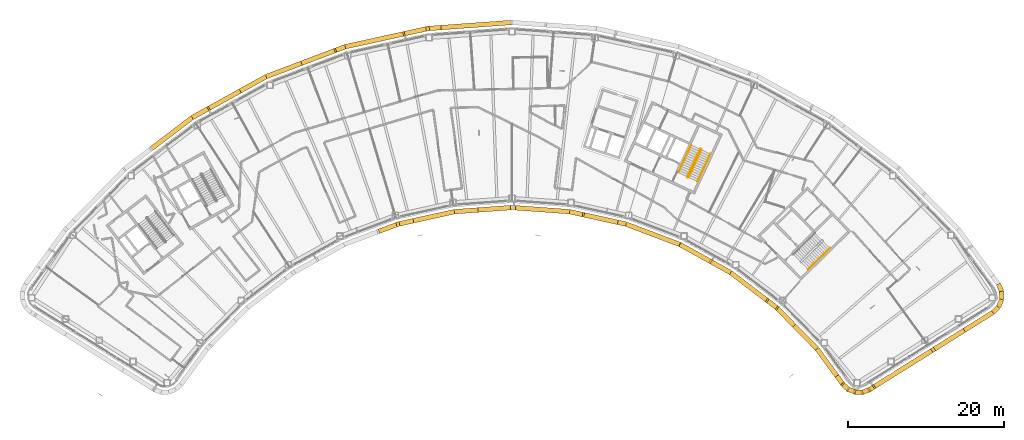
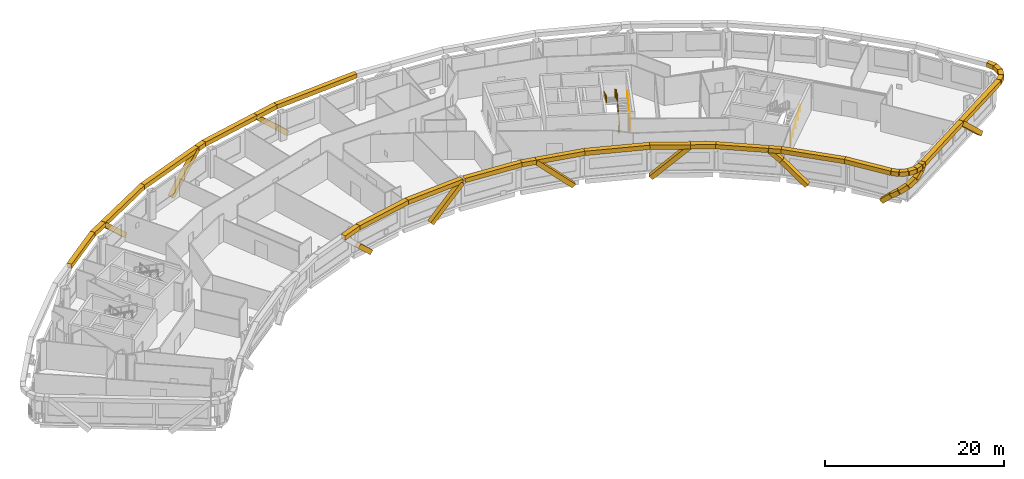
# One storey, part 19 of 21: 50 coverings, 4 railings.
"""IFC4 building model written with IfcOpenShell, lengths in metres."""

from ifc_helpers import new_model, si_unit, direction, frame, origin, origin_2d, place, context, subcontext, project, spatial, rectangle, circle, extrude, material, material_profile, profile_set, type_object, element, save


model = new_model("IFC4")

# Units and contexts
model_context = context("Model", 3, precision=1e-05, world=origin(), true_north=direction((0.0, 1.0)))
body_context = subcontext(model_context, "Body", "Model", "MODEL_VIEW")
ifc_project = project(units=[si_unit("LENGTHUNIT", "METRE"), si_unit("AREAUNIT", "SQUARE_METRE"), si_unit("VOLUMEUNIT", "CUBIC_METRE"), si_unit("PLANEANGLEUNIT", "RADIAN"), si_unit("MASSUNIT", "GRAM", prefix="KILO")], contexts=[model_context])

# Site, building, storey
site_placement = place(None, origin())
site = spatial("IfcSite", under=ifc_project, at=site_placement, CompositionType="ELEMENT")
building_placement = place(site_placement, origin())
building = spatial("IfcBuilding", under=site, at=building_placement, Name="Tuul Gate Civic Tower", CompositionType="ELEMENT")
storey_placement = place(building_placement, frame((0.0, 0.0, 273.60009765625)))
storey = spatial("IfcBuildingStorey", under=building, at=storey_placement, Name="Level 62", CompositionType="ELEMENT", Elevation=273.60009765625)

# Railings
ifc_material_1 = material(Name="Painted steel", Category="steel")
railing_type_1 = type_object("IfcRailingType", Name="Stair guard", PredefinedType="GUARDRAIL", material=ifc_material_1)
railing_1_placement = place(storey_placement, frame((33.645751953125, -5.238525390625, 0.0)))
element("IfcRailing", 1, at=railing_1_placement, inside=storey, type_object=railing_type_1, Name="Level 62 ST-4 stair guard 1", PredefinedType="GUARDRAIL", context=body_context, shape_type="SweptSolid", body=[
    extrude(circle(Radius=0.02392578125, at=origin_2d()), frame((0.0, 0.0, 1.076171875), z_axis=(-0.906307919131, 0.422617978463, 0.0), x_axis=(-0.422617978463, -0.906307919131, 0.0)), (0.0, 0.0, 1.0), 0.099853515625),
    extrude(circle(Radius=0.02392578125, at=origin_2d()), frame((-0.090576171875, 0.042236328125, 1.076171875), z_axis=(0.720735628292, -0.082946246491, 0.688229666829), x_axis=(0.114330889033, 0.993442724979, 0.0)), (0.0, 0.0, 1.0), 0.2177734375),
    extrude(circle(Radius=0.02392578125, at=origin_2d()), frame((0.06640625, 0.024169921875, 1.22607421875), z_axis=(0.377946903738, 0.810654114417, 0.447209173356), x_axis=(-0.906336612539, 0.422556439746, 0.0)), (0.0, 0.0, 1.0), 4.3603515625),
    extrude(circle(Radius=0.02392578125, at=origin_2d()), frame((1.71435546875, 3.558837890625, 3.17578125), z_axis=(-0.342020437038, 0.939692513883, 0.0), x_axis=(-0.939692513883, -0.342020437038, 0.0)), (0.0, 0.0, 1.0), 0.070556640625),
    extrude(circle(Radius=0.02392578125, at=origin_2d()), frame((1.690185546875, 3.625244140625, 3.17578125), z_axis=(-0.906307919131, 0.422617978463, 0.0), x_axis=(-0.422617978463, -0.906307919131, 0.0)), (0.0, 0.0, 1.0), 0.099853515625),
    extrude(circle(Radius=0.02392578125, at=origin_2d()), frame((1.599609375, 3.66748046875, 3.17578125), z_axis=(-0.400168791901, -0.145649670582, 0.904793408159), x_axis=(0.342020437038, -0.939692513883, 0.0)), (0.0, 0.0, 1.0), 0.166015625),
    extrude(circle(Radius=0.02392578125, at=origin_2d()), frame((1.533203125, 3.643310546875, 3.326171875), z_axis=(-0.377946903738, -0.810654114417, 0.447209173356), x_axis=(0.906336612539, -0.422556439746, 0.0)), (0.0, 0.0, 1.0), 4.3603515625),
    extrude(circle(Radius=0.02099609375, at=origin_2d()), origin(), (0.0, 0.0, 1.0), 1.052001953125),
    extrude(circle(Radius=0.02099609375, at=origin_2d()), frame((-0.090576171875, 0.042236328125, 0.0)), (0.0, 0.0, 1.0), 1.052001953125),
    extrude(circle(Radius=0.02099609375, at=origin_2d()), frame((0.06640625, 0.024169921875, 0.14990234375)), (0.0, 0.0, 1.0), 1.052001953125),
    extrude(circle(Radius=0.02099609375, at=origin_2d()), frame((0.478515625, 0.90771484375, 0.637451171875)), (0.0, 0.0, 1.0), 1.052001953125),
    extrude(circle(Radius=0.02099609375, at=origin_2d()), frame((0.890380859375, 1.79150390625, 1.125)), (0.0, 0.0, 1.0), 1.052001953125),
    extrude(circle(Radius=0.02099609375, at=origin_2d()), frame((1.30224609375, 2.67529296875, 1.6123046875)), (0.0, 0.0, 1.0), 1.052001953125),
    extrude(circle(Radius=0.02099609375, at=origin_2d()), frame((1.71435546875, 3.558837890625, 2.099853515625)), (0.0, 0.0, 1.0), 1.052001953125),
    extrude(circle(Radius=0.02099609375, at=origin_2d()), frame((1.690185546875, 3.625244140625, 2.099853515625)), (0.0, 0.0, 1.0), 1.052001953125),
    extrude(circle(Radius=0.02099609375, at=origin_2d()), frame((1.599609375, 3.66748046875, 2.099853515625)), (0.0, 0.0, 1.0), 1.052001953125),
    extrude(circle(Radius=0.02099609375, at=origin_2d()), frame((1.533203125, 3.643310546875, 2.25)), (0.0, 0.0, 1.0), 1.052001953125),
    extrude(circle(Radius=0.02099609375, at=origin_2d()), frame((1.12109375, 2.759765625, 2.737548828125)), (0.0, 0.0, 1.0), 1.052001953125),
    extrude(circle(Radius=0.02099609375, at=origin_2d()), frame((0.709228515625, 1.8759765625, 3.22509765625)), (0.0, 0.0, 1.0), 1.052001953125),
    extrude(circle(Radius=0.02099609375, at=origin_2d()), frame((0.29736328125, 0.9921875, 3.71240234375)), (0.0, 0.0, 1.0), 1.052001953125),
    extrude(circle(Radius=0.02099609375, at=origin_2d()), frame((-0.11474609375, 0.108642578125, 4.199951171875)), (0.0, 0.0, 1.0), 1.052001953125),
])
ifc_material_2 = material(Name="Painted steel", Category="steel")
railing_type_2 = type_object("IfcRailingType", Name="Stair handrail", PredefinedType="HANDRAIL", material=ifc_material_2)
railing_2_placement = place(storey_placement, frame((49.05126953125, -17.028076171875, 0.14990234375)))
element("IfcRailing", 2, at=railing_2_placement, inside=storey, type_object=railing_type_2, Name="Level 62 ST-3 stair handrail 1", PredefinedType="HANDRAIL", context=body_context, shape_type="SweptSolid", body=[
    extrude(circle(Radius=0.02392578125, at=origin_2d()), frame((0.0, 0.0, 0.8759765625), z_axis=(0.638753653487, 0.626099522554, 0.447205945863), x_axis=(-0.699997553204, 0.714145241186, 0.0)), (0.0, 0.0, 1.0), 4.3603515625),
    extrude(circle(Radius=0.02099609375, at=origin_2d()), origin(), (0.0, 0.0, 1.0), 0.851806640625),
    extrude(circle(Radius=0.02099609375, at=origin_2d()), frame((0.6962890625, 0.6826171875, 0.487548828125)), (0.0, 0.0, 1.0), 0.851806640625),
    extrude(circle(Radius=0.02099609375, at=origin_2d()), frame((1.392578125, 1.364990234375, 0.97509765625)), (0.0, 0.0, 1.0), 0.851806640625),
    extrude(circle(Radius=0.02099609375, at=origin_2d()), frame((2.0888671875, 2.04736328125, 1.46240234375)), (0.0, 0.0, 1.0), 0.851806640625),
    extrude(circle(Radius=0.02099609375, at=origin_2d()), frame((2.78515625, 2.72998046875, 1.949951171875)), (0.0, 0.0, 1.0), 0.851806640625),
])
railing_3_placement = place(storey_placement, frame((34.844970703125, -5.74267578125, 0.14990234375)))
element("IfcRailing", 3, at=railing_3_placement, inside=storey, type_object=railing_type_2, Name="Level 62 ST-4 stair handrail 1", PredefinedType="HANDRAIL", context=body_context, shape_type="SweptSolid", body=[
    extrude(circle(Radius=0.02392578125, at=origin_2d()), frame((0.0, 0.0, 0.8759765625), z_axis=(0.377994896215, 0.810636958585, 0.447199709091), x_axis=(-0.906312636903, 0.422607861012, 0.0)), (0.0, 0.0, 1.0), 4.3603515625),
    extrude(circle(Radius=0.02099609375, at=origin_2d()), origin(), (0.0, 0.0, 1.0), 0.851806640625),
    extrude(circle(Radius=0.02099609375, at=origin_2d()), frame((0.412109375, 0.8837890625, 0.487548828125)), (0.0, 0.0, 1.0), 0.851806640625),
    extrude(circle(Radius=0.02099609375, at=origin_2d()), frame((0.82421875, 1.767333984375, 0.97509765625)), (0.0, 0.0, 1.0), 0.851806640625),
    extrude(circle(Radius=0.02099609375, at=origin_2d()), frame((1.236083984375, 2.65087890625, 1.46240234375)), (0.0, 0.0, 1.0), 0.851806640625),
    extrude(circle(Radius=0.02099609375, at=origin_2d()), frame((1.648193359375, 3.53466796875, 1.949951171875)), (0.0, 0.0, 1.0), 0.851806640625),
])
railing_4_placement = place(storey_placement, frame((34.046142578125, -1.06689453125, 2.25)))
element("IfcRailing", 4, at=railing_4_placement, inside=storey, type_object=railing_type_2, Name="Level 62 ST-4 stair handrail 2", PredefinedType="HANDRAIL", context=body_context, shape_type="SweptSolid", body=[
    extrude(circle(Radius=0.02392578125, at=origin_2d()), frame((0.0, 0.0, 0.8759765625), z_axis=(-0.377994896215, -0.810636958585, 0.447199709091), x_axis=(0.906312636903, -0.422607861012, 0.0)), (0.0, 0.0, 1.0), 4.3603515625),
    extrude(circle(Radius=0.02099609375, at=origin_2d()), origin(), (0.0, 0.0, 1.0), 0.851806640625),
    extrude(circle(Radius=0.02099609375, at=origin_2d()), frame((-0.412109375, -0.8837890625, 0.487548828125)), (0.0, 0.0, 1.0), 0.851806640625),
    extrude(circle(Radius=0.02099609375, at=origin_2d()), frame((-0.82421875, -1.767333984375, 0.97509765625)), (0.0, 0.0, 1.0), 0.851806640625),
    extrude(circle(Radius=0.02099609375, at=origin_2d()), frame((-1.236083984375, -2.65087890625, 1.46240234375)), (0.0, 0.0, 1.0), 0.851806640625),
    extrude(circle(Radius=0.02099609375, at=origin_2d()), frame((-1.648193359375, -3.53466796875, 1.949951171875)), (0.0, 0.0, 1.0), 0.851806640625),
])

# Coverings
ifc_material_3 = material(Name="Terracotta baguette", Category="masonry")
ifc_material_profile = material_profile(ifc_material_3, rectangle(XDim=0.60009765625, YDim=0.60009765625, at=origin_2d()), Name="Terracotta baguette screen frame")
ifc_profile_set = profile_set([ifc_material_profile], Name="Terracotta baguette")
covering_type = type_object("IfcCoveringType", Name="Terracotta baguette screen frame", PredefinedType="CLADDING", material=ifc_profile_set)
covering_1_placement = place(storey_placement, frame((68.93212890625, -24.951171875, -0.35009765625), z_axis=(-0.62165839142, -0.388462360599, 0.68017485897), x_axis=(0.529926214669, -0.848043753002, 0.0)))
element("IfcCovering", 5, at=covering_1_placement, inside=storey, type_object=covering_type, Name="Baguette 10", PredefinedType="CLADDING", context=body_context, shape_type="SweptSolid", body=[
    extrude(rectangle(XDim=0.60009765625, YDim=0.60009765625, at=origin_2d()), origin(), (0.0, 0.0, 1.0), 6.1748046875),
])
covering_2_placement = place(storey_placement, frame((1.71337890625, 14.002197265625, -0.35009765625), z_axis=(-0.731905611248, -0.053041797702, 0.679338460505), x_axis=(0.072281254419, -0.997384289158, 0.0)))
element("IfcCovering", 6, at=covering_2_placement, inside=storey, type_object=covering_type, Name="Baguette 85", PredefinedType="CLADDING", context=body_context, shape_type="SweptSolid", body=[
    extrude(rectangle(XDim=0.60009765625, YDim=0.60009765625, at=origin_2d()), origin(), (0.0, 0.0, 1.0), 2.057373046875),
])
covering_3_placement = place(storey_placement, frame((0.20751953125, 13.89306640625, 1.047607421875), z_axis=(-0.716572327927, -0.157922928375, 0.679400064426), x_axis=(0.21522186499, -0.976565178997, 0.0)))
element("IfcCovering", 7, at=covering_3_placement, inside=storey, type_object=covering_type, Name="Baguette 86", PredefinedType="CLADDING", context=body_context, shape_type="SweptSolid", body=[
    extrude(rectangle(XDim=0.60009765625, YDim=0.60009765625, at=origin_2d()), origin(), (0.0, 0.0, 1.0), 4.12451171875),
])
covering_4_placement = place(storey_placement, frame((-2.748046875, 13.24169921875, 3.849853515625), z_axis=(-0.976558608026, -0.215251678484, 0.0), x_axis=(0.215251678484, -0.976558608026, 0.0)))
element("IfcCovering", 8, at=covering_4_placement, inside=storey, type_object=covering_type, Name="Baguette 91", PredefinedType="CLADDING", context=body_context, shape_type="SweptSolid", body=[
    extrude(rectangle(XDim=0.60009765625, YDim=0.60009765625, at=origin_2d()), origin(), (0.0, 0.0, 1.0), 7.82373046875),
])
covering_5_placement = place(storey_placement, frame((-10.388427734375, 11.5576171875, 3.849853515625), z_axis=(-0.935361445444, -0.353693322493, 0.0), x_axis=(0.353693322493, -0.935361445444, 0.0)))
element("IfcCovering", 9, at=covering_5_placement, inside=storey, type_object=covering_type, Name="Baguette 92", PredefinedType="CLADDING", context=body_context, shape_type="SweptSolid", body=[
    extrude(rectangle(XDim=0.60009765625, YDim=0.60009765625, at=origin_2d()), origin(), (0.0, 0.0, 1.0), 1.248779296875),
])
for number, where, z_axis, x_axis, name in (
    (10, (-11.556396484375, 11.115966796875, 3.849853515625), (-0.686341416792, -0.259545186211, -0.679390724039), (0.353711403676, -0.935354608108, 0.0), "Baguette 94"),
    (11, (-24.0419921875, 5.777099609375, -0.35009765625), (-0.641793682446, -0.355709537739, 0.679390604832), (0.484765303515, -0.874644270837, 0.0), "Baguette 104"),
):
    element("IfcCovering", number, at=place(storey_placement, frame(where, z_axis=z_axis, x_axis=x_axis)), inside=storey, type_object=covering_type, Name=name, PredefinedType="CLADDING", context=body_context, shape_type="SweptSolid", body=[
        extrude(rectangle(XDim=0.60009765625, YDim=0.60009765625, at=origin_2d()), origin(), (0.0, 0.0, 1.0), 6.181884765625),
    ])
covering_6_placement = place(storey_placement, frame((-28.009521484375, 3.578125, 3.849853515625), z_axis=(-0.874585833692, -0.48487072453, 0.0), x_axis=(0.48487072453, -0.874585833692, 0.0)))
element("IfcCovering", 12, at=covering_6_placement, inside=storey, type_object=covering_type, Name="Baguette 109", PredefinedType="CLADDING", context=body_context, shape_type="SweptSolid", body=[
    extrude(rectangle(XDim=0.60009765625, YDim=0.60009765625, at=origin_2d()), origin(), (0.0, 0.0, 1.0), 2.30908203125),
])
covering_7_placement = place(storey_placement, frame((-30.029052734375, 2.45849609375, 3.849853515625), z_axis=(-0.795673622453, -0.605725586823, 0.0), x_axis=(0.605725586823, -0.795673622453, 0.0)))
element("IfcCovering", 13, at=covering_7_placement, inside=storey, type_object=covering_type, Name="Baguette 110", PredefinedType="CLADDING", context=body_context, shape_type="SweptSolid", body=[
    extrude(rectangle(XDim=0.60009765625, YDim=0.60009765625, at=origin_2d()), origin(), (0.0, 0.0, 1.0), 6.76318359375),
])
covering_8_placement = place(storey_placement, frame((-3.611572265625, -11.216796875, 1.377685546875), z_axis=(0.708394550662, 0.156016045484, -0.68835757724), x_axis=(-0.215084326604, 0.976595480457, 0.0)))
element("IfcCovering", 14, at=covering_8_placement, inside=storey, type_object=covering_type, Name="Baguette 203", PredefinedType="CLADDING", context=body_context, shape_type="SweptSolid", body=[
    extrude(rectangle(XDim=0.60009765625, YDim=0.60009765625, at=origin_2d()), origin(), (0.0, 0.0, 1.0), 2.510009765625),
])
covering_9_placement = place(storey_placement, frame((6.87890625, -9.3857421875, -0.35009765625), z_axis=(0.723506769214, 0.052411380001, 0.688324779554), x_axis=(-0.072251432136, 0.997386449955, 0.0)))
element("IfcCovering", 15, at=covering_9_placement, inside=storey, type_object=covering_type, Name="Baguette 218", PredefinedType="CLADDING", context=body_context, shape_type="SweptSolid", body=[
    extrude(rectangle(XDim=0.60009765625, YDim=0.60009765625, at=origin_2d()), origin(), (0.0, 0.0, 1.0), 5.73876953125),
])
covering_10_placement = place(storey_placement, frame((11.031005859375, -9.0849609375, 3.60009765625), z_axis=(0.72341169372, -0.052489406614, 0.688418755978), x_axis=(0.072367892575, 0.997378006638, 0.0)))
element("IfcCovering", 16, at=covering_10_placement, inside=storey, type_object=covering_type, Name="Baguette 219", PredefinedType="CLADDING", context=body_context, shape_type="SweptSolid", body=[
    extrude(rectangle(XDim=0.60009765625, YDim=0.60009765625, at=origin_2d()), origin(), (0.0, 0.0, 1.0), 0.36279296875),
])
covering_11_placement = place(storey_placement, frame((11.29345703125, -9.10400390625, 3.849853515625), z_axis=(0.997385081157, -0.072270325073, 0.0), x_axis=(0.072270325073, 0.997385081157, 0.0)))
element("IfcCovering", 17, at=covering_11_placement, inside=storey, type_object=covering_type, Name="Baguette 224", PredefinedType="CLADDING", context=body_context, shape_type="SweptSolid", body=[
    extrude(rectangle(XDim=0.60009765625, YDim=0.60009765625, at=origin_2d()), origin(), (0.0, 0.0, 1.0), 7.155029296875),
])
covering_12_placement = place(storey_placement, frame((18.4296875, -9.62109375, 3.849853515625), z_axis=(0.976594928583, -0.215086832385, 0.0), x_axis=(0.215086832385, 0.976594928583, 0.0)))
element("IfcCovering", 18, at=covering_12_placement, inside=storey, type_object=covering_type, Name="Baguette 225", PredefinedType="CLADDING", context=body_context, shape_type="SweptSolid", body=[
    extrude(rectangle(XDim=0.60009765625, YDim=0.60009765625, at=origin_2d()), origin(), (0.0, 0.0, 1.0), 1.697021484375),
])
for number, where, z_axis, x_axis, name in (
    (19, (20.0869140625, -9.986083984375, 3.849853515625), (0.70839532551, -0.156051839668, -0.688348666107), (0.215131164625, 0.976585163725, 0.0), "Baguette 227"),
    (20, (32.733642578125, -13.90869140625, -0.35009765625), (0.634441801844, -0.351671859007, 0.688338945328), (0.484804374507, 0.87462261488, 0.0), "Baguette 239"),
):
    element("IfcCovering", number, at=place(storey_placement, frame(where, z_axis=z_axis, x_axis=x_axis)), inside=storey, type_object=covering_type, Name=name, PredefinedType="CLADDING", context=body_context, shape_type="SweptSolid", body=[
        extrude(rectangle(XDim=0.60009765625, YDim=0.60009765625, at=origin_2d()), origin(), (0.0, 0.0, 1.0), 6.1015625),
    ])
covering_13_placement = place(storey_placement, frame((36.604736328125, -16.054443359375, 3.849853515625), z_axis=(0.874621104425, -0.484807099468, 0.0), x_axis=(0.484807099468, 0.874621104425, 0.0)))
element("IfcCovering", 21, at=covering_13_placement, inside=storey, type_object=covering_type, Name="Baguette 244", PredefinedType="CLADDING", context=body_context, shape_type="SweptSolid", body=[
    extrude(rectangle(XDim=0.60009765625, YDim=0.60009765625, at=origin_2d()), origin(), (0.0, 0.0, 1.0), 2.852783203125),
])
covering_14_placement = place(storey_placement, frame((39.099853515625, -17.4375, 3.849853515625), z_axis=(0.795627855094, -0.605785701546, 0.0), x_axis=(0.605785701546, 0.795627855094, 0.0)))
element("IfcCovering", 22, at=covering_14_placement, inside=storey, type_object=covering_type, Name="Baguette 245", PredefinedType="CLADDING", context=body_context, shape_type="SweptSolid", body=[
    extrude(rectangle(XDim=0.60009765625, YDim=0.60009765625, at=origin_2d()), origin(), (0.0, 0.0, 1.0), 5.999267578125),
])
covering_15_placement = place(storey_placement, frame((43.873046875, -21.07177734375, 3.849853515625), z_axis=(0.57712175716, -0.439396681836, -0.688375648469), x_axis=(0.60576829495, 0.795641108059, 0.0)))
element("IfcCovering", 23, at=covering_15_placement, inside=storey, type_object=covering_type, Name="Baguette 248", PredefinedType="CLADDING", context=body_context, shape_type="SweptSolid", body=[
    extrude(rectangle(XDim=0.60009765625, YDim=0.60009765625, at=origin_2d()), origin(), (0.0, 0.0, 1.0), 1.955322265625),
])
covering_16_placement = place(storey_placement, frame((45.00146484375, -21.930908203125, 2.50390625), z_axis=(0.507806852894, -0.517993609104, -0.68834208144), x_axis=(0.714093526358, 0.700050309345, 0.0)))
element("IfcCovering", 24, at=covering_16_placement, inside=storey, type_object=covering_type, Name="Baguette 249", PredefinedType="CLADDING", context=body_context, shape_type="SweptSolid", body=[
    extrude(rectangle(XDim=0.60009765625, YDim=0.60009765625, at=origin_2d()), origin(), (0.0, 0.0, 1.0), 4.146240234375),
])
covering_17_placement = place(storey_placement, frame((52.859619140625, -30.8779296875, -0.35009765625), z_axis=(0.43121033179, -0.590705454511, 0.682000524757), x_axis=(0.807690018687, 0.589607355546, 0.0)))
element("IfcCovering", 25, at=covering_17_placement, inside=storey, type_object=covering_type, Name="Baguette 276", PredefinedType="CLADDING", context=body_context, shape_type="SweptSolid", body=[
    extrude(rectangle(XDim=0.60009765625, YDim=0.60009765625, at=origin_2d()), origin(), (0.0, 0.0, 1.0), 1.5751953125),
])
covering_18_placement = place(storey_placement, frame((53.538818359375, -31.808349609375, 0.72412109375), z_axis=(0.594021810933, -0.556138328738, 0.581247148332), x_axis=(0.683445771731, 0.730001285686, 0.0)))
element("IfcCovering", 26, at=covering_18_placement, inside=storey, type_object=covering_type, Name="Baguette 277", PredefinedType="CLADDING", context=body_context, shape_type="SweptSolid", body=[
    extrude(rectangle(XDim=0.60009765625, YDim=0.60009765625, at=origin_2d()), origin(), (0.0, 0.0, 1.0), 1.1083984375),
])
covering_19_placement = place(storey_placement, frame((54.197265625, -32.4248046875, 1.368408203125), z_axis=(0.774987723108, -0.30711005267, 0.552338161438), x_axis=(0.368405265232, 0.929665294904, 0.0)))
element("IfcCovering", 27, at=covering_19_placement, inside=storey, type_object=covering_type, Name="Baguette 278", PredefinedType="CLADDING", context=body_context, shape_type="SweptSolid", body=[
    extrude(rectangle(XDim=0.60009765625, YDim=0.60009765625, at=origin_2d()), origin(), (0.0, 0.0, 1.0), 1.167724609375),
])
covering_20_placement = place(storey_placement, frame((55.102294921875, -32.783447265625, 2.013427734375), z_axis=(0.833747055028, -0.003556762845, 0.552135126278), x_axis=(0.004265958673, 0.999990900757, 0.0)))
element("IfcCovering", 28, at=covering_20_placement, inside=storey, type_object=covering_type, Name="Baguette 279", PredefinedType="CLADDING", context=body_context, shape_type="SweptSolid", body=[
    extrude(rectangle(XDim=0.60009765625, YDim=0.60009765625, at=origin_2d()), origin(), (0.0, 0.0, 1.0), 1.1669921875),
])
covering_21_placement = place(storey_placement, frame((56.0751953125, -32.78759765625, 2.65771484375), z_axis=(0.758273461537, 0.29533683181, 0.58120350421), x_axis=(-0.362929447932, 0.93181662135, 0.0)))
element("IfcCovering", 29, at=covering_21_placement, inside=storey, type_object=covering_type, Name="Baguette 280", PredefinedType="CLADDING", context=body_context, shape_type="SweptSolid", body=[
    extrude(rectangle(XDim=0.60009765625, YDim=0.60009765625, at=origin_2d()), origin(), (0.0, 0.0, 1.0), 1.108642578125),
])
covering_22_placement = place(storey_placement, frame((56.915771484375, -32.460205078125, 3.302001953125), z_axis=(0.621712200998, 0.388304890043, 0.680215591926), x_axis=(-0.529738713069, 0.848160890324, 0.0)))
element("IfcCovering", 30, at=covering_22_placement, inside=storey, type_object=covering_type, Name="Baguette 281", PredefinedType="CLADDING", context=body_context, shape_type="SweptSolid", body=[
    extrude(rectangle(XDim=0.60009765625, YDim=0.60009765625, at=origin_2d()), origin(), (0.0, 0.0, 1.0), 0.805419921875),
])
covering_23_placement = place(storey_placement, frame((57.41650390625, -32.1474609375, 3.849853515625), z_axis=(0.848024059423, 0.529957729106, 0.0), x_axis=(-0.529957729106, 0.848024059423, 0.0)))
element("IfcCovering", 31, at=covering_23_placement, inside=storey, type_object=covering_type, Name="Baguette 284", PredefinedType="CLADDING", context=body_context, shape_type="SweptSolid", body=[
    extrude(rectangle(XDim=0.60009765625, YDim=0.60009765625, at=origin_2d()), origin(), (0.0, 0.0, 1.0), 9.052734375),
])
covering_24_placement = place(storey_placement, frame((11.031005859375, 14.677001953125, 3.849853515625), z_axis=(-0.99738728677, -0.072239879499, 0.0), x_axis=(0.072239879499, -0.99738728677, 0.0)))
element("IfcCovering", 32, at=covering_24_placement, inside=storey, type_object=covering_type, Name="Baguette 429", PredefinedType="CLADDING", context=body_context, shape_type="SweptSolid", body=[
    extrude(rectangle(XDim=0.60009765625, YDim=0.60009765625, at=origin_2d()), origin(), (0.0, 0.0, 1.0), 10.851806640625),
])
covering_25_placement = place(storey_placement, frame((0.20751953125, 13.89306640625, 3.849853515625), z_axis=(-0.976565178997, -0.21522186499, 0.0), x_axis=(0.21522186499, -0.976565178997, 0.0)))
element("IfcCovering", 33, at=covering_25_placement, inside=storey, type_object=covering_type, Name="Baguette 430", PredefinedType="CLADDING", context=body_context, shape_type="SweptSolid", body=[
    extrude(rectangle(XDim=0.60009765625, YDim=0.60009765625, at=origin_2d()), origin(), (0.0, 0.0, 1.0), 3.026611328125),
])
covering_26_placement = place(storey_placement, frame((-11.556396484375, 11.115966796875, 3.849853515625), z_axis=(-0.935346515686, -0.353732802542, 0.0), x_axis=(0.353732802542, -0.935346515686, 0.0)))
element("IfcCovering", 34, at=covering_26_placement, inside=storey, type_object=covering_type, Name="Baguette 431", PredefinedType="CLADDING", context=body_context, shape_type="SweptSolid", body=[
    extrude(rectangle(XDim=0.60009765625, YDim=0.60009765625, at=origin_2d()), origin(), (0.0, 0.0, 1.0), 9.6025390625),
])
covering_27_placement = place(storey_placement, frame((-20.5380859375, 7.71923828125, 3.849853515625), z_axis=(-0.874638125691, -0.484776390811, 0.0), x_axis=(0.484776390811, -0.874638125691, 0.0)))
element("IfcCovering", 35, at=covering_27_placement, inside=storey, type_object=covering_type, Name="Baguette 432", PredefinedType="CLADDING", context=body_context, shape_type="SweptSolid", body=[
    extrude(rectangle(XDim=0.60009765625, YDim=0.60009765625, at=origin_2d()), origin(), (0.0, 0.0, 1.0), 8.542236328125),
])
covering_28_placement = place(storey_placement, frame((-6.048095703125, -12.138427734375, 3.849853515625), z_axis=(0.935323979616, 0.353792387079, 0.0), x_axis=(-0.353792387079, 0.935323979616, 0.0)))
element("IfcCovering", 36, at=covering_28_placement, inside=storey, type_object=covering_type, Name="Baguette 440", PredefinedType="CLADDING", context=body_context, shape_type="SweptSolid", body=[
    extrude(rectangle(XDim=0.60009765625, YDim=0.60009765625, at=origin_2d()), origin(), (0.0, 0.0, 1.0), 2.60498046875),
])
covering_29_placement = place(storey_placement, frame((-3.611572265625, -11.216796875, 3.849853515625), z_axis=(0.976586552641, 0.215124859562, 0.0), x_axis=(-0.215124859562, 0.976586552641, 0.0)))
element("IfcCovering", 37, at=covering_29_placement, inside=storey, type_object=covering_type, Name="Baguette 441", PredefinedType="CLADDING", context=body_context, shape_type="SweptSolid", body=[
    extrude(rectangle(XDim=0.60009765625, YDim=0.60009765625, at=origin_2d()), origin(), (0.0, 0.0, 1.0), 7.41748046875),
])
covering_30_placement = place(storey_placement, frame((3.63232421875, -9.62109375, 3.849853515625), z_axis=(0.997384830366, 0.072273786091, 0.0), x_axis=(-0.072273786091, 0.997384830366, 0.0)))
element("IfcCovering", 38, at=covering_30_placement, inside=storey, type_object=covering_type, Name="Baguette 442", PredefinedType="CLADDING", context=body_context, shape_type="SweptSolid", body=[
    extrude(rectangle(XDim=0.60009765625, YDim=0.60009765625, at=origin_2d()), origin(), (0.0, 0.0, 1.0), 7.41796875),
])
covering_31_placement = place(storey_placement, frame((20.0869140625, -9.986083984375, 3.849853515625), z_axis=(0.976584067749, -0.215136139733, 0.0), x_axis=(0.215136139733, 0.976584067749, 0.0)))
element("IfcCovering", 39, at=covering_31_placement, inside=storey, type_object=covering_type, Name="Baguette 444", PredefinedType="CLADDING", context=body_context, shape_type="SweptSolid", body=[
    extrude(rectangle(XDim=0.60009765625, YDim=0.60009765625, at=origin_2d()), origin(), (0.0, 0.0, 1.0), 5.720703125),
])
covering_32_placement = place(storey_placement, frame((25.673583984375, -11.216796875, 3.849853515625), z_axis=(0.935320405664, -0.353801835423, 0.0), x_axis=(0.353801835423, 0.935320405664, 0.0)))
element("IfcCovering", 40, at=covering_32_placement, inside=storey, type_object=covering_type, Name="Baguette 445", PredefinedType="CLADDING", context=body_context, shape_type="SweptSolid", body=[
    extrude(rectangle(XDim=0.60009765625, YDim=0.60009765625, at=origin_2d()), origin(), (0.0, 0.0, 1.0), 7.41796875),
])
covering_33_placement = place(storey_placement, frame((32.61181640625, -13.84130859375, 3.849853515625), z_axis=(0.874636136261, -0.484779980141, 0.0), x_axis=(0.484779980141, 0.874636136261, 0.0)))
element("IfcCovering", 41, at=covering_33_placement, inside=storey, type_object=covering_type, Name="Baguette 446", PredefinedType="CLADDING", context=body_context, shape_type="SweptSolid", body=[
    extrude(rectangle(XDim=0.60009765625, YDim=0.60009765625, at=origin_2d()), origin(), (0.0, 0.0, 1.0), 4.565185546875),
])
covering_34_placement = place(storey_placement, frame((43.873046875, -21.07177734375, 3.849853515625), z_axis=(0.795641108059, -0.60576829495, 0.0), x_axis=(0.60576829495, 0.795641108059, 0.0)))
element("IfcCovering", 42, at=covering_34_placement, inside=storey, type_object=covering_type, Name="Baguette 447", PredefinedType="CLADDING", context=body_context, shape_type="SweptSolid", body=[
    extrude(rectangle(XDim=0.60009765625, YDim=0.60009765625, at=origin_2d()), origin(), (0.0, 0.0, 1.0), 1.418212890625),
])
covering_35_placement = place(storey_placement, frame((45.00146484375, -21.930908203125, 3.849853515625), z_axis=(0.700028633045, -0.714114775731, 0.0), x_axis=(0.714114775731, 0.700028633045, 0.0)))
element("IfcCovering", 43, at=covering_35_placement, inside=storey, type_object=covering_type, Name="Baguette 448", PredefinedType="CLADDING", context=body_context, shape_type="SweptSolid", body=[
    extrude(rectangle(XDim=0.60009765625, YDim=0.60009765625, at=origin_2d()), origin(), (0.0, 0.0, 1.0), 7.41796875),
])
covering_36_placement = place(storey_placement, frame((50.1943359375, -27.228271484375, 3.849853515625), z_axis=(0.589729447422, -0.807600878432, 0.0), x_axis=(0.807600878432, 0.589729447422, 0.0)))
element("IfcCovering", 44, at=covering_36_placement, inside=storey, type_object=covering_type, Name="Baguette 449", PredefinedType="CLADDING", context=body_context, shape_type="SweptSolid", body=[
    extrude(rectangle(XDim=0.60009765625, YDim=0.60009765625, at=origin_2d()), origin(), (0.0, 0.0, 1.0), 5.671142578125),
])
covering_37_placement = place(storey_placement, frame((53.538818359375, -31.808349609375, 3.849853515625), z_axis=(0.730001285686, -0.683445771731, 0.0), x_axis=(0.683445771731, 0.730001285686, 0.0)))
element("IfcCovering", 45, at=covering_37_placement, inside=storey, type_object=covering_type, Name="Baguette 450", PredefinedType="CLADDING", context=body_context, shape_type="SweptSolid", body=[
    extrude(rectangle(XDim=0.60009765625, YDim=0.60009765625, at=origin_2d()), origin(), (0.0, 0.0, 1.0), 0.902099609375),
])
covering_38_placement = place(storey_placement, frame((54.197265625, -32.4248046875, 3.849853515625), z_axis=(0.929665294904, -0.368405265232, 0.0), x_axis=(0.368405265232, 0.929665294904, 0.0)))
element("IfcCovering", 46, at=covering_38_placement, inside=storey, type_object=covering_type, Name="Baguette 451", PredefinedType="CLADDING", context=body_context, shape_type="SweptSolid", body=[
    extrude(rectangle(XDim=0.60009765625, YDim=0.60009765625, at=origin_2d()), origin(), (0.0, 0.0, 1.0), 0.973388671875),
])
covering_39_placement = place(storey_placement, frame((55.102294921875, -32.783447265625, 3.849853515625), z_axis=(0.999990900757, -0.004265958673, 0.0), x_axis=(0.004265958673, 0.999990900757, 0.0)))
element("IfcCovering", 47, at=covering_39_placement, inside=storey, type_object=covering_type, Name="Baguette 452", PredefinedType="CLADDING", context=body_context, shape_type="SweptSolid", body=[
    extrude(rectangle(XDim=0.60009765625, YDim=0.60009765625, at=origin_2d()), origin(), (0.0, 0.0, 1.0), 0.972900390625),
])
covering_40_placement = place(storey_placement, frame((56.0751953125, -32.78759765625, 3.849853515625), z_axis=(0.93181662135, 0.362929447932, 0.0), x_axis=(-0.362929447932, 0.93181662135, 0.0)))
element("IfcCovering", 48, at=covering_40_placement, inside=storey, type_object=covering_type, Name="Baguette 453", PredefinedType="CLADDING", context=body_context, shape_type="SweptSolid", body=[
    extrude(rectangle(XDim=0.60009765625, YDim=0.60009765625, at=origin_2d()), origin(), (0.0, 0.0, 1.0), 0.902099609375),
])
covering_41_placement = place(storey_placement, frame((56.915771484375, -32.460205078125, 3.849853515625), z_axis=(0.848160890324, 0.529738713069, 0.0), x_axis=(-0.529738713069, 0.848160890324, 0.0)))
element("IfcCovering", 49, at=covering_41_placement, inside=storey, type_object=covering_type, Name="Baguette 454", PredefinedType="CLADDING", context=body_context, shape_type="SweptSolid", body=[
    extrude(rectangle(XDim=0.60009765625, YDim=0.60009765625, at=origin_2d()), origin(), (0.0, 0.0, 1.0), 0.59033203125),
])
covering_42_placement = place(storey_placement, frame((65.093505859375, -27.349853515625, 3.849853515625), z_axis=(0.848031633403, 0.529945609235, 0.0), x_axis=(-0.529945609235, 0.848031633403, 0.0)))
element("IfcCovering", 50, at=covering_42_placement, inside=storey, type_object=covering_type, Name="Baguette 455", PredefinedType="CLADDING", context=body_context, shape_type="SweptSolid", body=[
    extrude(rectangle(XDim=0.60009765625, YDim=0.60009765625, at=origin_2d()), origin(), (0.0, 0.0, 1.0), 9.052978515625),
])
covering_43_placement = place(storey_placement, frame((72.770751953125, -22.55224609375, 3.849853515625), z_axis=(0.722749211147, 0.69111039479, 0.0), x_axis=(-0.69111039479, 0.722749211147, 0.0)))
element("IfcCovering", 51, at=covering_43_placement, inside=storey, type_object=covering_type, Name="Baguette 456", PredefinedType="CLADDING", context=body_context, shape_type="SweptSolid", body=[
    extrude(rectangle(XDim=0.60009765625, YDim=0.60009765625, at=origin_2d()), origin(), (0.0, 0.0, 1.0), 0.98779296875),
])
covering_44_placement = place(storey_placement, frame((73.484619140625, -21.86962890625, 3.849853515625), z_axis=(0.385378072861, 0.922758766394, 0.0), x_axis=(-0.922758766394, 0.385378072861, 0.0)))
element("IfcCovering", 52, at=covering_44_placement, inside=storey, type_object=covering_type, Name="Baguette 457", PredefinedType="CLADDING", context=body_context, shape_type="SweptSolid", body=[
    extrude(rectangle(XDim=0.60009765625, YDim=0.60009765625, at=origin_2d()), origin(), (0.0, 0.0, 1.0), 1.068115234375),
])
covering_45_placement = place(storey_placement, frame((73.896240234375, -20.884033203125, 3.849853515625), z_axis=(-0.014650442147, 0.999892676513, 0.0), x_axis=(-0.999892676513, -0.014650442147, 0.0)))
element("IfcCovering", 53, at=covering_45_placement, inside=storey, type_object=covering_type, Name="Baguette 458", PredefinedType="CLADDING", context=body_context, shape_type="SweptSolid", body=[
    extrude(rectangle(XDim=0.60009765625, YDim=0.60009765625, at=origin_2d()), origin(), (0.0, 0.0, 1.0), 1.06640625),
])
covering_46_placement = place(storey_placement, frame((73.880615234375, -19.817626953125, 3.849853515625), z_axis=(-0.4130215853, 0.910721236206, 0.0), x_axis=(-0.910721236206, -0.4130215853, 0.0)))
element("IfcCovering", 54, at=covering_46_placement, inside=storey, type_object=covering_type, Name="Baguette 459", PredefinedType="CLADDING", context=body_context, shape_type="SweptSolid", body=[
    extrude(rectangle(XDim=0.60009765625, YDim=0.60009765625, at=origin_2d()), origin(), (0.0, 0.0, 1.0), 0.989013671875),
])

save(model, "model.ifc")
